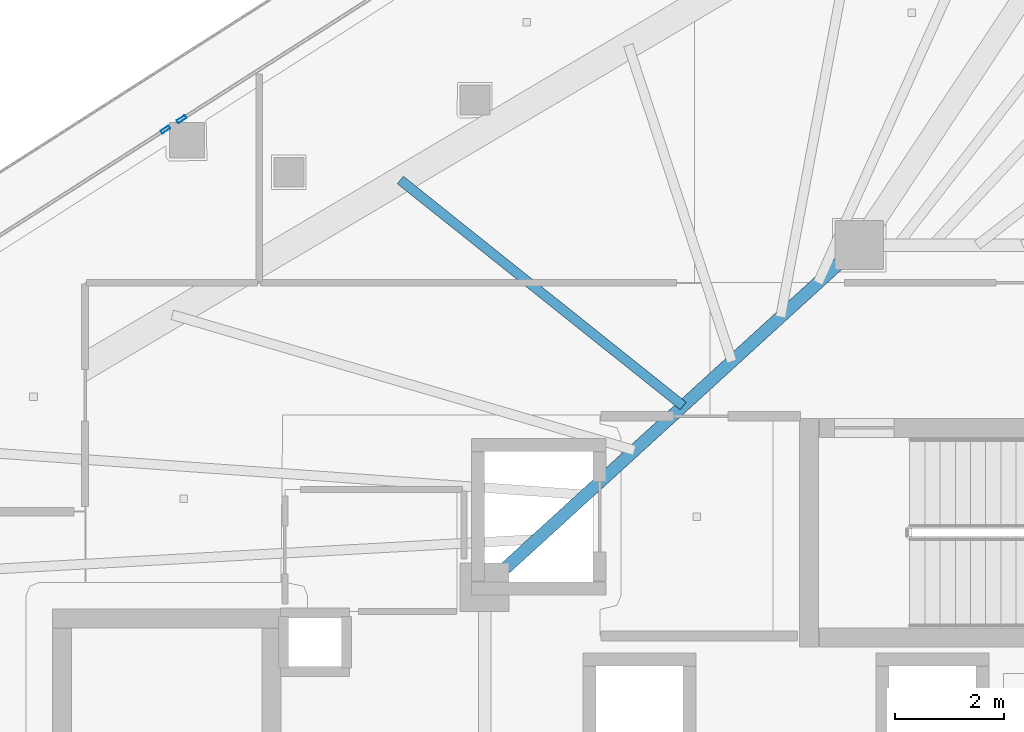
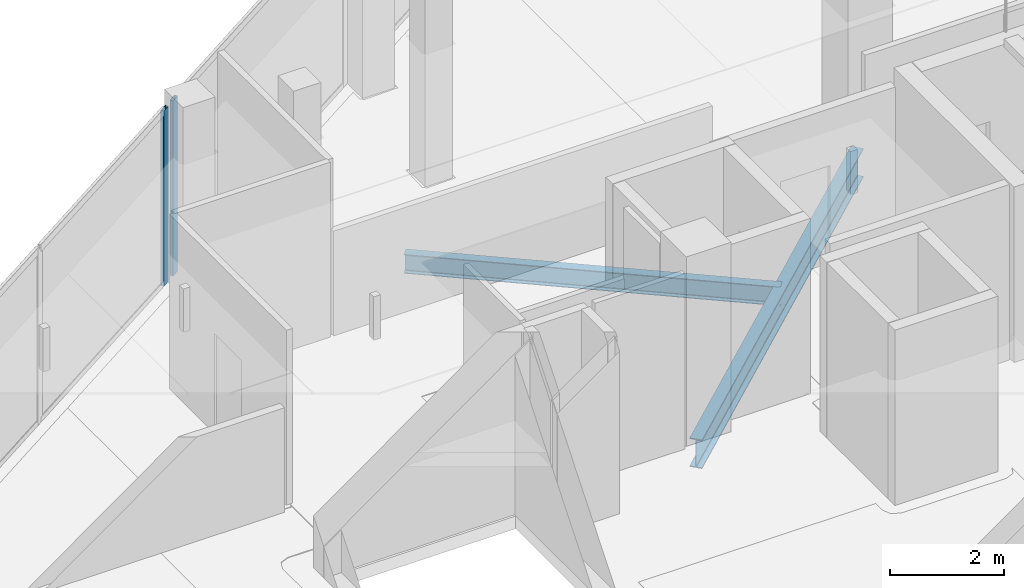
# One storey, part 17 of 34: 2 beams, 2 members, 2 elements without a shape of their own.
"""IFC4 building model written with IfcOpenShell, lengths in metres."""

from ifc_helpers import new_model, si_unit, direction, frame, origin, origin_2d, place, context, subcontext, project, spatial, hollow_rectangle, i_section, extrude, material, layer, layer_set, material_profile, profile_set, type_object, element, aggregate, save


model = new_model("IFC4")

# Units and contexts
model_context = context("Model", 3, precision=1e-05, world=origin(), true_north=direction((0.0, 1.0)))
body_context = subcontext(model_context, "Body", "Model", "MODEL_VIEW")
ifc_project = project(units=[si_unit("LENGTHUNIT", "METRE"), si_unit("AREAUNIT", "SQUARE_METRE"), si_unit("VOLUMEUNIT", "CUBIC_METRE"), si_unit("PLANEANGLEUNIT", "RADIAN"), si_unit("MASSUNIT", "GRAM", prefix="KILO")], contexts=[model_context])

# Site, building, storey
site_placement = place(None, origin())
site = spatial("IfcSite", under=ifc_project, at=site_placement, CompositionType="ELEMENT")
building_placement = place(site_placement, origin())
building = spatial("IfcBuilding", under=site, at=building_placement, Name="Qorvath Tower", CompositionType="ELEMENT")
storey_placement = place(building_placement, frame((0.0, 0.0, 245.550048828125)))
storey = spatial("IfcBuildingStorey", under=building, at=storey_placement, Name="L57", CompositionType="ELEMENT", Elevation=245.550048828125)

# Beams
ifc_material_1 = material(Name="Steel ASTM A992 Grade 50", Category="steel")
ifc_material_profile_1 = material_profile(ifc_material_1, i_section(OverallWidth=0.22998046875, OverallDepth=0.616943359375, WebThickness=0.01318359375, FlangeThickness=0.022216796875, FilletRadius=0.014892578125, at=origin_2d()), Name="W24x94")
ifc_profile_set_1 = profile_set([ifc_material_profile_1], Name="Steel ASTM A992 Grade 50")
beam_type_1 = type_object("IfcBeamType", Name="BM-FG6", PredefinedType="BEAM", material=ifc_profile_set_1)
beam_1_placement = place(storey_placement, frame((-30.5, 5.14990234375, -0.57861328125), z_axis=(0.73847813985, 0.6742774184, 0.0), x_axis=(-0.6742774184, 0.73847813985, 0.0)))
element("IfcBeam", 1, at=beam_1_placement, inside=storey, type_object=beam_type_1, Name="Core Ring Girder CC5-CC1 L57", PredefinedType="BEAM", context=body_context, shape_type="SweptSolid", body=[
    extrude(i_section(OverallWidth=0.22998046875, OverallDepth=0.616943359375, WebThickness=0.01318359375, FlangeThickness=0.022216796875, FilletRadius=0.014892578125, at=origin_2d()), origin(), (0.0, 0.0, 1.0), 9.343505859375),
])
ifc_material_2 = material(Name="Steel ASTM A992 Grade 50", Category="steel")
ifc_material_profile_2 = material_profile(ifc_material_2, i_section(OverallWidth=0.177978515625, OverallDepth=0.406005859375, WebThickness=0.0078125, FlangeThickness=0.0126953125, FilletRadius=0.010986328125, at=origin_2d()), Name="W16x40")
ifc_profile_set_2 = profile_set([ifc_material_profile_2], Name="Steel ASTM A992 Grade 50")
beam_type_2 = type_object("IfcBeamType", Name="BM-FJ3", PredefinedType="JOIST", material=ifc_profile_set_2)
beam_2_placement = place(storey_placement, frame((-26.843017578125, 8.489013671875, -0.47314453125), z_axis=(-0.781336553339, 0.624109918537, 0.0), x_axis=(-0.624109918537, -0.781336553339, 0.0)))
element("IfcBeam", 2, at=beam_2_placement, inside=storey, type_object=beam_type_2, Name="Composite Floor Joist NW4 L57", PredefinedType="JOIST", context=body_context, shape_type="SweptSolid", body=[
    extrude(i_section(OverallWidth=0.177978515625, OverallDepth=0.406005859375, WebThickness=0.0078125, FlangeThickness=0.0126953125, FilletRadius=0.010986328125, at=origin_2d()), origin(), (0.0, 0.0, 1.0), 6.667724609375),
])

# Curtain wall, member
ifc_material_3 = material(Name="Anodised aluminium and triple low-E glass", Category="aluminium")
ifc_layer = layer(ifc_material_3, 0.179931640625)
ifc_layer_set = layer_set([ifc_layer], Name="CW-SYS-3")
curtain_wall_type = type_object("IfcCurtainWallType", Name="CW-SYS-3", PredefinedType="NOTDEFINED", material=ifc_layer_set)
curtain_wall_1_placement = place(storey_placement, origin())
curtain_wall_1 = element("IfcCurtainWall", 3, at=curtain_wall_1_placement, inside=storey, type_object=curtain_wall_type, Name="Curtain Wall CW-3 CW-T-L57-16.2", PredefinedType="NOTDEFINED")
ifc_material_4 = material(Name="Anodised aluminium 6063-T6", Category="aluminium")
ifc_material_profile_3 = material_profile(ifc_material_4, hollow_rectangle(XDim=0.06494140625, YDim=0.179931640625, WallThickness=0.00341796875, InnerFilletRadius=0.00341796875, OuterFilletRadius=0.007080078125, at=origin_2d()), Name="CWM 180x65")
ifc_profile_set_3 = profile_set([ifc_material_profile_3], Name="Anodised aluminium 6063-T6")
member_type = type_object("IfcMemberType", Name="CWM-180", PredefinedType="MULLION", material=ifc_profile_set_3)
member_1_placement = place(storey_placement, frame((-36.081787109375, 13.7685546875, 0.0), z_axis=(0.0, 0.0, 1.0), x_axis=(0.538519791825, -0.842612861172, 0.0)))
member_1 = element("IfcMember", 4, at=member_1_placement, type_object=member_type, Name="CW-3 mullion 2", PredefinedType="MULLION", context=body_context, shape_type="SweptSolid", body=[
    extrude(hollow_rectangle(XDim=0.06494140625, YDim=0.179931640625, WallThickness=0.00341796875, InnerFilletRadius=0.00341796875, OuterFilletRadius=0.007080078125, at=origin_2d()), origin(), (0.0, 0.0, 1.0), 3.75),
])
aggregate(curtain_wall_1, [member_1])

curtain_wall_2_placement = place(storey_placement, origin())
curtain_wall_2 = element("IfcCurtainWall", 5, at=curtain_wall_2_placement, inside=storey, type_object=curtain_wall_type, Name="Curtain Wall CW-3 CW-T-L57-16.3", PredefinedType="NOTDEFINED")
member_2_placement = place(storey_placement, frame((-36.3779296875, 13.578857421875, 0.0), z_axis=(0.0, 0.0, 1.0), x_axis=(0.538526839039, -0.842608357207, 0.0)))
member_2 = element("IfcMember", 6, at=member_2_placement, type_object=member_type, Name="CW-3 mullion 1", PredefinedType="MULLION", context=body_context, shape_type="SweptSolid", body=[
    extrude(hollow_rectangle(XDim=0.06494140625, YDim=0.179931640625, WallThickness=0.00341796875, InnerFilletRadius=0.00341796875, OuterFilletRadius=0.007080078125, at=origin_2d()), origin(), (0.0, 0.0, 1.0), 3.75),
])
aggregate(curtain_wall_2, [member_2])

save(model, "model.ifc")
